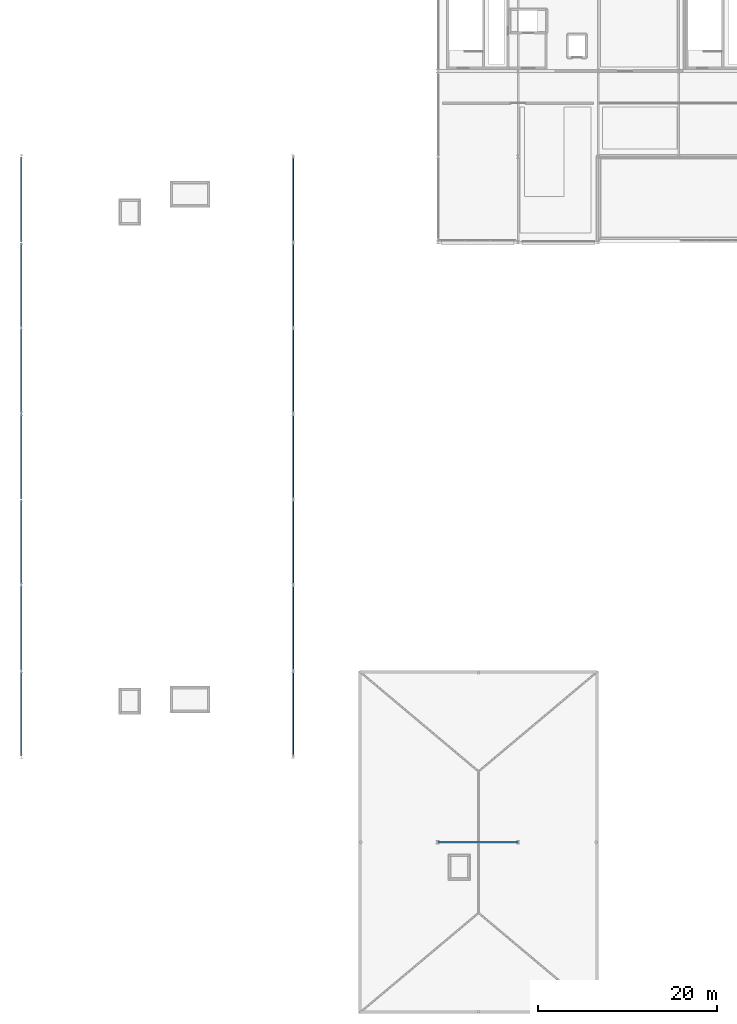
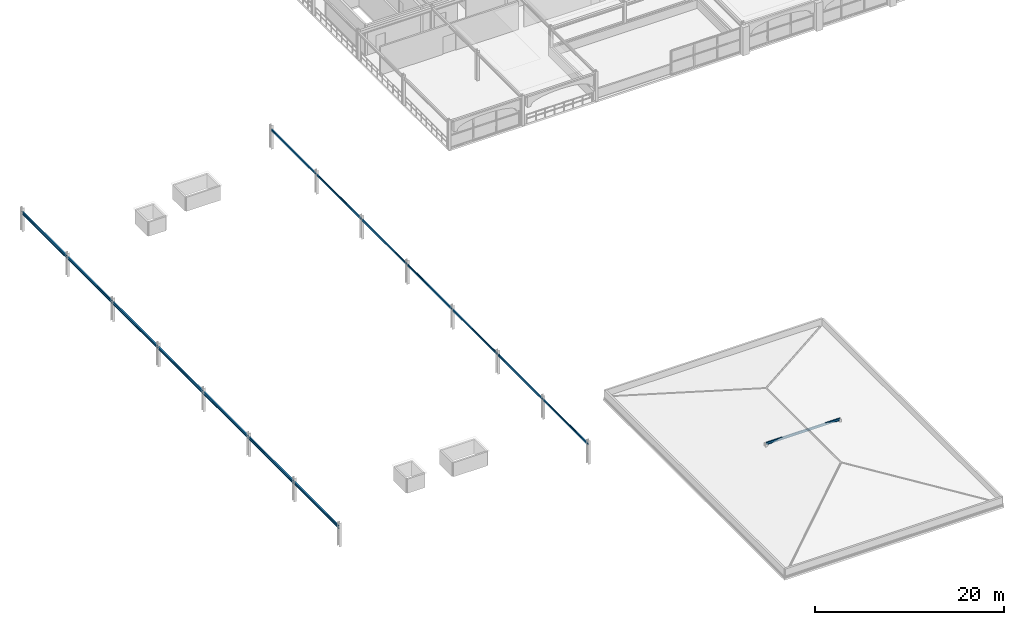
# One storey, part 9 of 25: 15 beams.
"""IFC4 building model written with IfcOpenShell, lengths in metres."""

from ifc_helpers import new_model, si_unit, direction, frame, origin, origin_2d, place, context, subcontext, project, spatial, hollow_rectangle, i_section, extrude, material, material_profile, profile_set, type_object, element, save


model = new_model("IFC4")

# Units and contexts
model_context = context("Model", 3, precision=1e-05, world=origin(), true_north=direction((0.0, 1.0)))
body_context = subcontext(model_context, "Body", "Model", "MODEL_VIEW")
ifc_project = project(units=[si_unit("LENGTHUNIT", "METRE"), si_unit("AREAUNIT", "SQUARE_METRE"), si_unit("VOLUMEUNIT", "CUBIC_METRE"), si_unit("PLANEANGLEUNIT", "RADIAN"), si_unit("MASSUNIT", "GRAM", prefix="KILO")], contexts=[model_context])

# Site, building, storey
site_placement = place(None, origin())
site = spatial("IfcSite", under=ifc_project, at=site_placement, CompositionType="ELEMENT")
building_placement = place(site_placement, origin())
building = spatial("IfcBuilding", under=site, at=building_placement, Name="Myrtia Square Station", CompositionType="ELEMENT")
storey_placement = place(building_placement, frame((0.0, 0.0, 18.89990234375)))
storey = spatial("IfcBuildingStorey", under=building, at=storey_placement, Name="L04", CompositionType="ELEMENT", Elevation=18.89990234375)

# Beams
ifc_material = material(Name="Steel S355", Category="steel")
ifc_material_profile_1 = material_profile(ifc_material, i_section(OverallWidth=0.14990234375, OverallDepth=0.300048828125, WebThickness=0.007080078125, FlangeThickness=0.0107421875, FilletRadius=0.014892578125, at=origin_2d()), Name="IPE 300")
ifc_profile_set_1 = profile_set([ifc_material_profile_1], Name="Steel S355")
beam_type_1 = type_object("IfcBeamType", Name="BM-IPE300", PredefinedType="BEAM", material=ifc_profile_set_1)
beam_placement = place(storey_placement, frame((126.0, 19.199951171875, 2.72021484375), z_axis=(1.0, 0.0, 0.0), x_axis=(0.0, 1.0, 0.0)))
element("IfcBeam", 1, at=beam_placement, inside=storey, type_object=beam_type_1, Name="Hipped roof ridge beam HIP-V4W", PredefinedType="BEAM", context=body_context, shape_type="SweptSolid", body=[
    extrude(i_section(OverallWidth=0.14990234375, OverallDepth=0.300048828125, WebThickness=0.007080078125, FlangeThickness=0.0107421875, FilletRadius=0.014892578125, at=origin_2d()), origin(), (0.0, 0.0, 1.0), 9.0),
])
ifc_material_profile_2 = material_profile(ifc_material, i_section(OverallWidth=0.169921875, OverallDepth=0.360107421875, WebThickness=0.008056640625, FlangeThickness=0.0126953125, FilletRadius=0.01806640625, at=origin_2d()), Name="IPE 360")
ifc_profile_set_2 = profile_set([ifc_material_profile_2], Name="Steel S355")
beam_type_2 = type_object("IfcBeamType", Name="BM-IPE360", PredefinedType="BEAM", material=ifc_profile_set_2)
for number, where, z_axis, x_axis, name in (
    (2, (79.35009765625, 28.85009765625, 2.39501953125), (0.0, 1.0, 0.0), (-1.0, 0.0, 0.0), "Structural girder BMY-L04-0870"),
    (3, (79.35009765625, 38.449951171875, 2.39501953125), (0.0, 1.0, 0.0), (-1.0, 0.0, 0.0), "Structural girder BMY-L04-0871"),
    (4, (79.35009765625, 48.050048828125, 2.39501953125), (0.0, 1.0, 0.0), (-1.0, 0.0, 0.0), "Structural girder BMY-L04-0872"),
    (5, (79.35009765625, 57.64990234375, 2.39501953125), (0.0, 1.0, 0.0), (-1.0, 0.0, 0.0), "Structural girder BMY-L04-0873"),
    (6, (79.35009765625, 67.25, 2.39501953125), (0.0, 1.0, 0.0), (-1.0, 0.0, 0.0), "Structural girder BMY-L04-0874"),
    (7, (79.35009765625, 76.85009765625, 2.39501953125), (0.0, 1.0, 0.0), (-1.0, 0.0, 0.0), "Structural girder BMY-L04-0875"),
    (8, (79.35009765625, 86.449951171875, 2.39501953125), (0.0, 1.0, 0.0), (-1.0, 0.0, 0.0), "Structural girder BMY-L04-0876"),
):
    element("IfcBeam", number, at=place(storey_placement, frame(where, z_axis=z_axis, x_axis=x_axis)), inside=storey, type_object=beam_type_2, Name=name, PredefinedType="BEAM", context=body_context, shape_type="SweptSolid", body=[
        extrude(i_section(OverallWidth=0.169921875, OverallDepth=0.360107421875, WebThickness=0.008056640625, FlangeThickness=0.0126953125, FilletRadius=0.01806640625, at=origin_2d()), origin(), (0.0, 0.0, 1.0), 9.5),
    ])
ifc_material_profile_3 = material_profile(ifc_material, hollow_rectangle(XDim=0.14990234375, YDim=0.25, WallThickness=0.012451171875, InnerFilletRadius=0.012451171875, OuterFilletRadius=0.02490234375, at=origin_2d()), Name="RHS 250x150x12.5")
ifc_profile_set_3 = profile_set([ifc_material_profile_3], Name="Steel S355")
beam_type_3 = type_object("IfcBeamType", Name="SPN-RHS250", PredefinedType="SPANDREL", material=ifc_profile_set_3)
for number, where, z_axis, x_axis, name in (
    (9, (109.800048828125, 28.85009765625, 2.4501953125), (0.0, 1.0, 0.0), (-1.0, 0.0, 0.0), "Structural girder SPNY-L04-0253"),
    (10, (109.800048828125, 38.449951171875, 2.4501953125), (0.0, 1.0, 0.0), (-1.0, 0.0, 0.0), "Structural girder SPNY-L04-0254"),
    (11, (109.800048828125, 48.050048828125, 2.4501953125), (0.0, 1.0, 0.0), (-1.0, 0.0, 0.0), "Structural girder SPNY-L04-0255"),
    (12, (109.800048828125, 57.64990234375, 2.4501953125), (0.0, 1.0, 0.0), (-1.0, 0.0, 0.0), "Structural girder SPNY-L04-0256"),
    (13, (109.800048828125, 67.25, 2.4501953125), (0.0, 1.0, 0.0), (-1.0, 0.0, 0.0), "Structural girder SPNY-L04-0257"),
    (14, (109.800048828125, 76.85009765625, 2.4501953125), (0.0, 1.0, 0.0), (-1.0, 0.0, 0.0), "Structural girder SPNY-L04-0258"),
    (15, (109.800048828125, 86.449951171875, 2.4501953125), (0.0, 1.0, 0.0), (-1.0, 0.0, 0.0), "Structural girder SPNY-L04-0259"),
):
    element("IfcBeam", number, at=place(storey_placement, frame(where, z_axis=z_axis, x_axis=x_axis)), inside=storey, type_object=beam_type_3, Name=name, PredefinedType="SPANDREL", context=body_context, shape_type="SweptSolid", body=[
        extrude(hollow_rectangle(XDim=0.14990234375, YDim=0.25, WallThickness=0.012451171875, InnerFilletRadius=0.012451171875, OuterFilletRadius=0.02490234375, at=origin_2d()), origin(), (0.0, 0.0, 1.0), 9.5),
    ])

save(model, "model.ifc")
